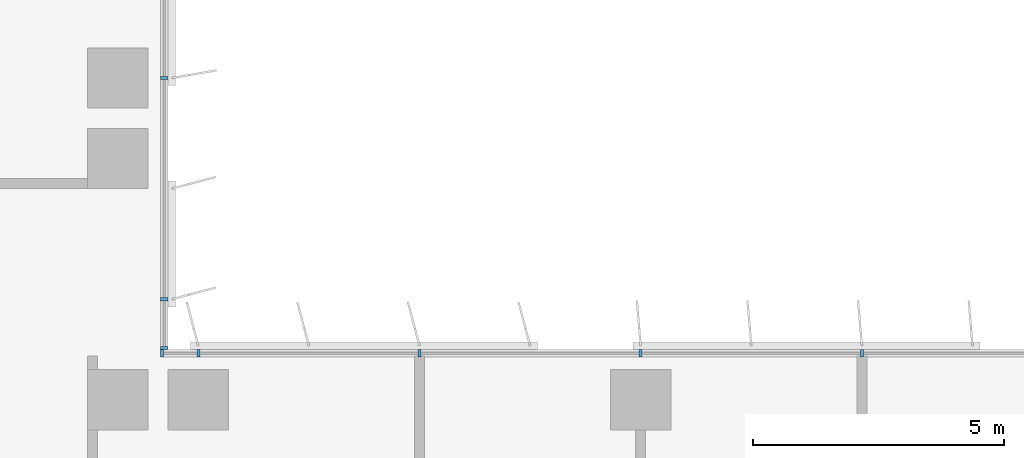
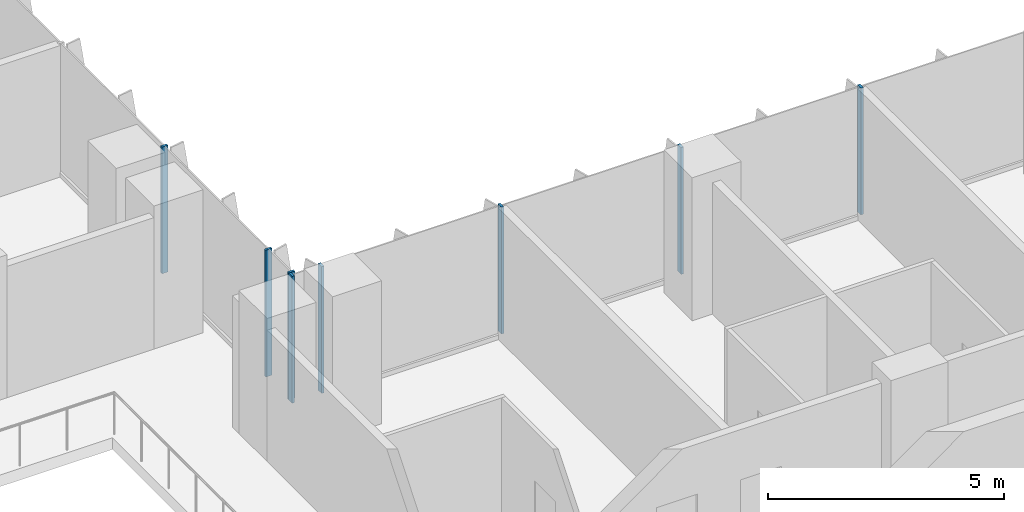
# One storey, part 2 of 23: 8 members, 2 elements without a shape of their own.
"""IFC4 building model written with IfcOpenShell, lengths in metres."""

import ifcopenshell
import ifcopenshell.guid

model = None  # the IFC model being written
_history = None  # IfcOwnerHistory: only IFC2X3 demands one
_inside = {}  # id of a spatial element -> (the spatial element, [elements in it])
_under = {}  # id of a project, library or spatial element -> (it, [spatial elements below it])
_declared = {}  # id of a project -> (the project, [libraries it declares])
_typed = {}  # id of a type object -> (the type object, [elements of that type])
_made_of = {}  # id of a material, layer set ... -> (it, [elements and type objects made of it])


def new_model(schema):
    """Start an empty IFC model of exactly this schema.

    Asked for "IFC4X3", IfcOpenShell would pick the latest addendum, in which some entities
    have other attributes; the version numbers below select the first issue.
    IFC2X3 requires an IfcOwnerHistory on every rooted entity: one is made here for all.
    """
    global model, _history
    if schema == "IFC4X3":
        model = ifcopenshell.file(schema_version=(4, 3, 0, 0))
    else:
        model = ifcopenshell.file(schema=schema)
    _inside.clear()
    _under.clear()
    _declared.clear()
    _typed.clear()
    _made_of.clear()
    _history = None
    if model.schema == "IFC2X3":
        org = make("IfcOrganization", Name="unknown")
        user = make(
            "IfcPersonAndOrganization",
            ThePerson=make("IfcPerson", FamilyName="unknown"),
            TheOrganization=org,
        )
        app = make(
            "IfcApplication",
            ApplicationDeveloper=org,
            Version="unknown",
            ApplicationFullName="unknown",
            ApplicationIdentifier="unknown",
        )
        _history = make(
            "IfcOwnerHistory",
            OwningUser=user,
            OwningApplication=app,
            ChangeAction="ADDED",
            CreationDate=0,
        )
    return model


def make(cls, **values):
    """One entity of the class cls with the attributes given. An attribute that is None is left unset."""
    return model.create_entity(
        cls, **{name: value for name, value in values.items() if value is not None}
    )


def rooted(cls, **values):
    """An entity with a GlobalId (a new one), such as an element, a storey or a relation."""
    return make(cls, GlobalId=ifcopenshell.guid.new(), OwnerHistory=_history, **values)


def si_unit(unit_type, name, prefix=None):
    """IfcSIUnit, for example si_unit("LENGTHUNIT", "METRE", prefix="MILLI")."""
    return make("IfcSIUnit", UnitType=unit_type, Prefix=prefix, Name=name)


def assignment(units):
    """IfcUnitAssignment: the units of a project."""
    return None if units is None else make("IfcUnitAssignment", Units=units)


def point(xyz):
    """IfcCartesianPoint."""
    return None if xyz is None else make("IfcCartesianPoint", Coordinates=xyz)


def direction(xyz):
    """IfcDirection."""
    return None if xyz is None else make("IfcDirection", DirectionRatios=xyz)


def frame(location, z_axis=None, x_axis=None):
    """IfcAxis2Placement3D, a coordinate frame: its origin and axes. An axis left out is left unset."""
    return make(
        "IfcAxis2Placement3D",
        Location=point(location),
        Axis=direction(z_axis),
        RefDirection=direction(x_axis),
    )


def frame_2d(location, x_axis=None):
    """IfcAxis2Placement2D, a coordinate frame in the plane: its origin and x axis."""
    return make(
        "IfcAxis2Placement2D", Location=point(location), RefDirection=direction(x_axis)
    )


def origin():
    """The frame at (0, 0, 0) with its axes left unset."""
    return frame((0.0, 0.0, 0.0))


def origin_2d():
    """The frame at (0, 0) in the plane with its x axis left unset."""
    return frame_2d((0.0, 0.0))


def place(relative_to, where):
    """IfcLocalPlacement: puts the frame where relative to a parent placement (None: the world)."""
    return make(
        "IfcLocalPlacement", PlacementRelTo=relative_to, RelativePlacement=where
    )


def context(
    kind, dimensions, precision=None, world=None, true_north=None, identifier=None
):
    """IfcGeometricRepresentationContext, for example the 3D "Model" context."""
    return make(
        "IfcGeometricRepresentationContext",
        ContextIdentifier=identifier,
        ContextType=kind,
        CoordinateSpaceDimension=dimensions,
        Precision=precision,
        WorldCoordinateSystem=world,
        TrueNorth=true_north,
    )


def subcontext(parent, identifier, kind, view, scale=None):
    """IfcGeometricRepresentationSubContext, for example "Body" below "Model"."""
    return make(
        "IfcGeometricRepresentationSubContext",
        ContextIdentifier=identifier,
        ContextType=kind,
        ParentContext=parent,
        TargetScale=scale,
        TargetView=view,
    )


def project(units=None, contexts=None):
    """IfcProject with its units and contexts."""
    return rooted(
        "IfcProject",
        Name="project",
        RepresentationContexts=contexts,
        UnitsInContext=assignment(units),
    )


def spatial(cls, under=None, at=None, **own):
    """A site, building, storey or space (cls), placed at a placement, below another one or the project."""
    s = rooted(cls, ObjectPlacement=at, **own)
    if under is not None:
        _under.setdefault(under.id(), (under, []))[1].append(s)
    return s


def profile(cls, at=None, kind="AREA", **sizes):
    """A parametric profile (cls). Its sizes go by their IFC names, for example OverallWidth=200.0."""
    return make(cls, ProfileType=kind, Position=at, **sizes)


def rectangle(**sizes):
    """IfcRectangleProfileDef."""
    return profile("IfcRectangleProfileDef", **sizes)


def extrude(swept, where, along, depth):
    """IfcExtrudedAreaSolid: the profile swept, set in the frame where, extruded along a direction by depth."""
    return make(
        "IfcExtrudedAreaSolid",
        SweptArea=swept,
        Position=where,
        ExtrudedDirection=direction(along),
        Depth=depth,
    )


def shape(context_of_items, identifier, shape_type, items):
    """IfcShapeRepresentation: the items that make up one representation, for example the "Body"."""
    return make(
        "IfcShapeRepresentation",
        ContextOfItems=context_of_items,
        RepresentationIdentifier=identifier,
        RepresentationType=shape_type,
        Items=items,
    )


def source(mapping_origin, context_of_items, identifier, shape_type, items):
    """IfcRepresentationMap: a shape defined once, which mapped items show again and again."""
    return make(
        "IfcRepresentationMap",
        MappingOrigin=mapping_origin,
        MappedRepresentation=shape(context_of_items, identifier, shape_type, items),
    )


def transform(
    local_origin,
    x_axis=None,
    y_axis=None,
    z_axis=None,
    scale=None,
    scale2=None,
    scale3=None,
    uniform=True,
):
    """IfcCartesianTransformationOperator3D, or its non-uniform kind. x_axis, y_axis, z_axis: its Axis1, 2, 3."""
    if uniform:
        return make(
            "IfcCartesianTransformationOperator3D",
            Axis1=direction(x_axis),
            Axis2=direction(y_axis),
            LocalOrigin=point(local_origin),
            Scale=scale,
            Axis3=direction(z_axis),
        )
    return make(
        "IfcCartesianTransformationOperator3DnonUniform",
        Axis1=direction(x_axis),
        Axis2=direction(y_axis),
        LocalOrigin=point(local_origin),
        Scale=scale,
        Axis3=direction(z_axis),
        Scale2=scale2,
        Scale3=scale3,
    )


def mapped(mapping_source, mapping_target):
    """IfcMappedItem: shows the shape of a source again, moved by a transform."""
    return make(
        "IfcMappedItem", MappingSource=mapping_source, MappingTarget=mapping_target
    )


def material(Name=None, Category=None):
    """IfcMaterial."""
    return make("IfcMaterial", Name=Name, Category=Category)


def material_profile(
    of_material, cross_section, Name=None, Category=None, Priority=None
):
    """IfcMaterialProfile: a cross section and its material."""
    return make(
        "IfcMaterialProfile",
        Name=Name,
        Material=of_material,
        Profile=cross_section,
        Priority=Priority,
        Category=Category,
    )


def profile_set(profiles, Name=None, composite=None):
    """IfcMaterialProfileSet."""
    return make(
        "IfcMaterialProfileSet",
        Name=Name,
        MaterialProfiles=profiles,
        CompositeProfile=composite,
    )


def made_of(thing, what):
    """Note that an element or type object is made of a material, layer set ...; save() writes the relation."""
    if what is not None:
        _made_of.setdefault(what.id(), (what, []))[1].append(thing)
    return thing


def type_object(cls, material=None, **own):
    """A type object (cls), such as IfcWallType, which elements share."""
    return made_of(rooted(cls, **own), material)


def element(
    cls,
    number,
    at=None,
    inside=None,
    cuts=None,
    type_object=None,
    material=None,
    context=None,
    identifier="Body",
    shape_type=None,
    held_by="IfcProductDefinitionShape",
    body=None,
    shapes=None,
    **own,
):
    """One element of the class cls, such as IfcWall. Its Tag is "e" and its number.

    at: its placement. inside: the storey or other place that contains it. cuts: it is an
    opening in that element (IfcRelVoidsElement). A single representation is given by context,
    identifier, shape_type and body (its items); several are given by shapes. held_by: the class
    of the entity that holds the representations. save() writes the other relations.
    """
    e = rooted(cls, Tag="e%d" % number, ObjectPlacement=at, **own)
    if body is not None:
        shapes = [shape(context, identifier, shape_type, body)]
    if shapes is not None:
        e.Representation = make(held_by, Representations=shapes)
    if inside is not None:
        _inside.setdefault(inside.id(), (inside, []))[1].append(e)
    if cuts is not None:
        rooted(
            "IfcRelVoidsElement", RelatingBuildingElement=cuts, RelatedOpeningElement=e
        )
    if type_object is not None:
        _typed.setdefault(type_object.id(), (type_object, []))[1].append(e)
    return made_of(e, material)


def aggregate(whole, parts):
    """IfcRelAggregates: a whole, such as a stair, and the parts it consists of."""
    return rooted("IfcRelAggregates", RelatingObject=whole, RelatedObjects=parts)


def save(model, path):
    """Write the relations noted so far, then the file.

    IfcRelAggregates (storeys below a building ...), IfcRelContainedInSpatialStructure (elements
    in a storey), IfcRelDefinesByType, IfcRelAssociatesMaterial and IfcRelDeclares: one each for
    every whole, place, type object, material and project.
    """
    for whole, parts in _under.values():
        aggregate(whole, parts)
    for where, things in _inside.values():
        rooted(
            "IfcRelContainedInSpatialStructure",
            RelatedElements=things,
            RelatingStructure=where,
        )
    for kind, things in _typed.values():
        rooted("IfcRelDefinesByType", RelatedObjects=things, RelatingType=kind)
    for what, things in _made_of.values():
        rooted("IfcRelAssociatesMaterial", RelatedObjects=things, RelatingMaterial=what)
    for by, libraries in _declared.values():
        rooted("IfcRelDeclares", RelatingContext=by, RelatedDefinitions=libraries)
    model.write(path)


model = new_model("IFC4")

# Units and contexts
model_context = context("Model", 3, precision=1e-05, world=origin(), true_north=direction((0.0, 1.0)))
body_context = subcontext(model_context, "Body", "Model", "MODEL_VIEW")
ifc_project = project(units=[si_unit("LENGTHUNIT", "METRE"), si_unit("AREAUNIT", "SQUARE_METRE"), si_unit("VOLUMEUNIT", "CUBIC_METRE"), si_unit("PLANEANGLEUNIT", "RADIAN"), si_unit("MASSUNIT", "GRAM", prefix="KILO")], contexts=[model_context])

# Site, building, storey
site_placement = place(None, origin())
site = spatial("IfcSite", under=ifc_project, at=site_placement, CompositionType="ELEMENT")
building_placement = place(site_placement, origin())
building = spatial("IfcBuilding", under=site, at=building_placement, Name="Kemantara Hotel Tower", CompositionType="ELEMENT")
storey_placement = place(building_placement, frame((0.0, 0.0, 114.800048828125)))
storey = spatial("IfcBuildingStorey", under=building, at=storey_placement, Name="L27", CompositionType="ELEMENT", Elevation=114.800048828125)

# Curtain wall, members
ifc_material_1 = material(Name="Low-E tinted double insulated glass 36 mm", Category="glass")
curtain_wall_type = type_object("IfcCurtainWallType", Name="TOWER CURTAIN WALL, FRONT FACES", PredefinedType="USERDEFINED", material=ifc_material_1)
curtain_wall_1_placement = place(storey_placement, origin())
curtain_wall_1 = element("IfcCurtainWall", 1, at=curtain_wall_1_placement, inside=storey, type_object=curtain_wall_type, Name="CW4 L27 T2-R13-1", ObjectType="TOWER CURTAIN WALL, FRONT FACES", PredefinedType="USERDEFINED")
ifc_material_2 = material(Name="Aluminium 6063-T6 bronze anodised", Category="aluminium")
ifc_material_profile = material_profile(ifc_material_2, rectangle(XDim=0.14990234375, YDim=0.06005859375, at=origin_2d()), Name="TOWER CURTAIN WALL, FRONT FACES MULLION")
ifc_profile_set = profile_set([ifc_material_profile], Name="Aluminium 6063-T6 bronze anodised")
member_type = type_object("IfcMemberType", Name="TOWER CURTAIN WALL, FRONT FACES MULLION", PredefinedType="MULLION", material=ifc_profile_set)
shared_shape = source(origin(), body_context, "Body", "SweptSolid", [
    extrude(rectangle(XDim=0.14990234375, YDim=0.06005859375, at=origin_2d()), origin(), (0.0, 0.0, 1.0), 3.280029296875),
])
member_1_placement = place(storey_placement, frame((40.60009765625, 21.925048828125, 0.119873046875), z_axis=(0.0, 0.0, 1.0), x_axis=(0.0, -1.0, 0.0)))
member_1 = element("IfcMember", 2, at=member_1_placement, type_object=member_type, Name="CW4 mullion T2-R13-1.6", PredefinedType="MULLION", context=body_context, shape_type="MappedRepresentation", body=[
    mapped(shared_shape, transform((0.0, 0.0, 0.0))),
])
member_2_placement = place(storey_placement, frame((36.199951171875, 21.925048828125, 0.119873046875), z_axis=(0.0, 0.0, 1.0), x_axis=(0.0, -1.0, 0.0)))
member_2 = element("IfcMember", 3, at=member_2_placement, type_object=member_type, Name="CW4 mullion T2-R13-1.7", PredefinedType="MULLION", context=body_context, shape_type="MappedRepresentation", body=[
    mapped(shared_shape, transform((0.0, 0.0, 0.0))),
])
member_3_placement = place(storey_placement, frame((31.800048828125, 21.925048828125, 0.119873046875), z_axis=(0.0, 0.0, 1.0), x_axis=(0.0, -1.0, 0.0)))
member_3 = element("IfcMember", 4, at=member_3_placement, type_object=member_type, Name="CW4 mullion T2-R13-1.8", PredefinedType="MULLION", context=body_context, shape_type="MappedRepresentation", body=[
    mapped(shared_shape, transform((0.0, 0.0, 0.0))),
])
member_4_placement = place(storey_placement, frame((27.39990234375, 21.925048828125, 0.119873046875), z_axis=(0.0, 0.0, 1.0), x_axis=(0.0, -1.0, 0.0)))
member_4 = element("IfcMember", 5, at=member_4_placement, type_object=member_type, Name="CW4 mullion T2-R13-1.9", PredefinedType="MULLION", context=body_context, shape_type="MappedRepresentation", body=[
    mapped(shared_shape, transform((0.0, 0.0, 0.0))),
])
member_5_placement = place(storey_placement, frame((26.679931640625, 21.925048828125, 0.119873046875), z_axis=(0.0, 0.0, 1.0), x_axis=(0.0, -1.0, 0.0)))
member_5 = element("IfcMember", 6, at=member_5_placement, type_object=member_type, Name="CW4 mullion T2-R13-1.10", PredefinedType="MULLION", context=body_context, shape_type="MappedRepresentation", body=[
    mapped(shared_shape, transform((0.0, 0.0, 0.0))),
])
aggregate(curtain_wall_1, [member_1, member_2, member_3, member_4, member_5])

curtain_wall_2_placement = place(storey_placement, origin())
curtain_wall_2 = element("IfcCurtainWall", 7, at=curtain_wall_2_placement, inside=storey, type_object=curtain_wall_type, Name="CW4 L27 T2-R14-1", ObjectType="TOWER CURTAIN WALL, FRONT FACES", PredefinedType="USERDEFINED")
member_6_placement = place(storey_placement, frame((26.72509765625, 22.030029296875, 0.119873046875), z_axis=(0.0, 0.0, 1.0), x_axis=(-1.0, 0.0, 0.0)))
member_6 = element("IfcMember", 8, at=member_6_placement, type_object=member_type, Name="CW4 mullion T2-R14-1.1", PredefinedType="MULLION", context=body_context, shape_type="MappedRepresentation", body=[
    mapped(shared_shape, transform((0.0, 0.0, 0.0))),
])
member_7_placement = place(storey_placement, frame((26.72509765625, 23.0, 0.119873046875), z_axis=(0.0, 0.0, 1.0), x_axis=(-1.0, 0.0, 0.0)))
member_7 = element("IfcMember", 9, at=member_7_placement, type_object=member_type, Name="CW4 mullion T2-R14-1.2", PredefinedType="MULLION", context=body_context, shape_type="MappedRepresentation", body=[
    mapped(shared_shape, transform((0.0, 0.0, 0.0))),
])
member_8_placement = place(storey_placement, frame((26.72509765625, 27.39990234375, 0.119873046875), z_axis=(0.0, 0.0, 1.0), x_axis=(-1.0, 0.0, 0.0)))
member_8 = element("IfcMember", 10, at=member_8_placement, type_object=member_type, Name="CW4 mullion T2-R14-1.3", PredefinedType="MULLION", context=body_context, shape_type="MappedRepresentation", body=[
    mapped(shared_shape, transform((0.0, 0.0, 0.0))),
])
aggregate(curtain_wall_2, [member_6, member_7, member_8])

save(model, "model.ifc")
